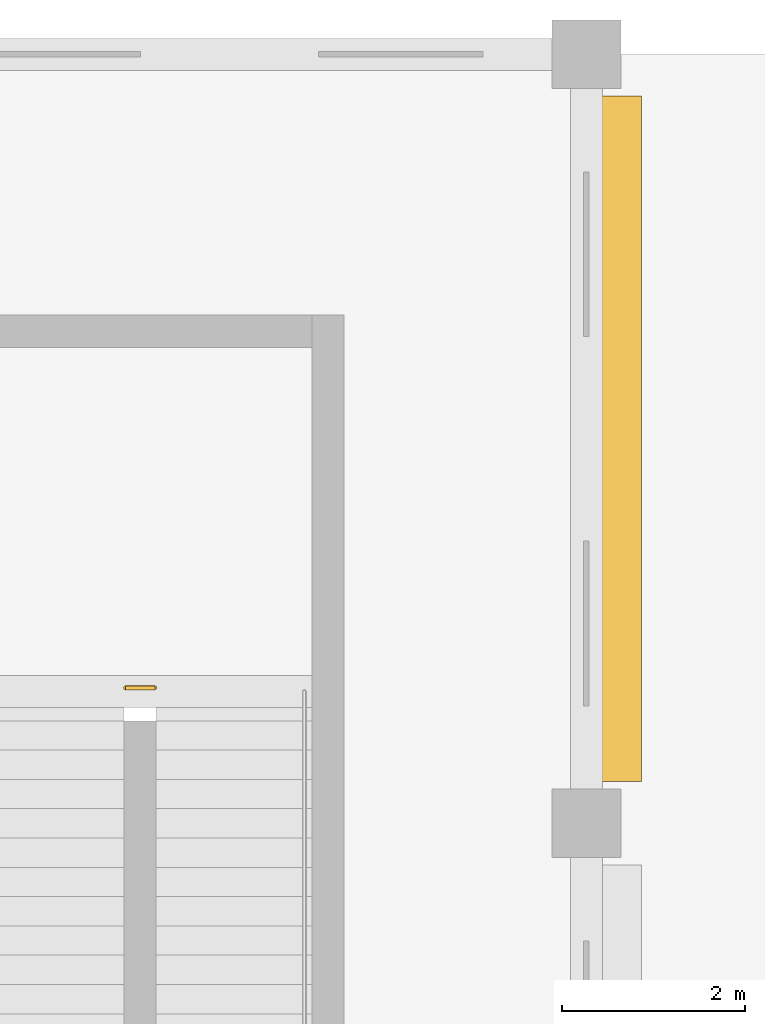
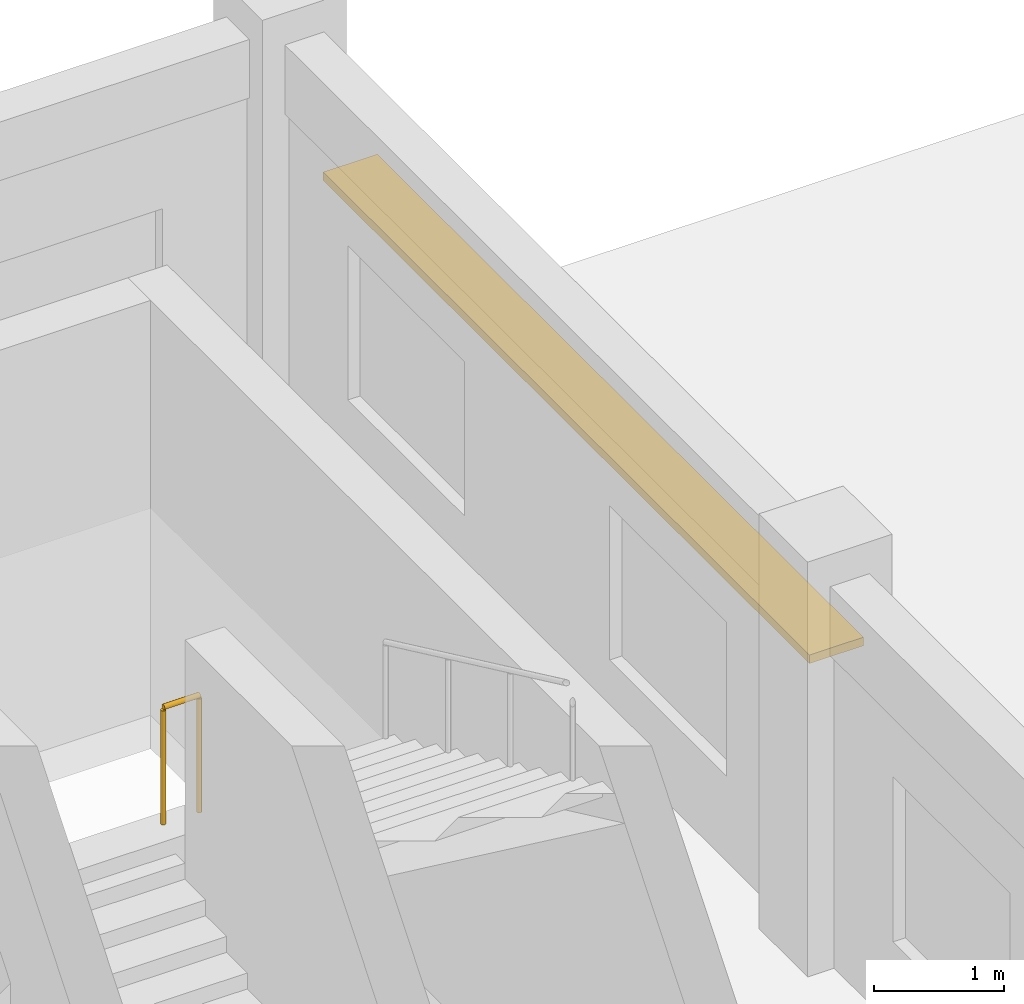
# One storey, part 70 of 72: 1 railing, 1 shading device.
"""IFC4 building model written with IfcOpenShell, lengths in metres."""

from ifc_helpers import new_model, si_unit, direction, frame, origin, origin_2d, place, context, subcontext, project, spatial, rectangle, circle, extrude, material, layer, layer_set, type_object, element, save


model = new_model("IFC4")

# Units and contexts
model_context = context("Model", 3, precision=1e-05, world=origin(), true_north=direction((0.0, 1.0)))
body_context = subcontext(model_context, "Body", "Model", "MODEL_VIEW")
ifc_project = project(units=[si_unit("LENGTHUNIT", "METRE"), si_unit("AREAUNIT", "SQUARE_METRE"), si_unit("VOLUMEUNIT", "CUBIC_METRE"), si_unit("PLANEANGLEUNIT", "RADIAN"), si_unit("MASSUNIT", "GRAM", prefix="KILO"), si_unit("THERMODYNAMICTEMPERATUREUNIT", "KELVIN"), si_unit("POWERUNIT", "WATT")], contexts=[model_context])

# Site, building, storey
site_placement = place(None, origin())
site = spatial("IfcSite", under=ifc_project, at=site_placement, CompositionType="ELEMENT")
building_placement = place(site_placement, origin())
building = spatial("IfcBuilding", under=site, at=building_placement, Name="Srebrne Nadtorze General Hospital", CompositionType="ELEMENT")
storey_placement = place(building_placement, frame((0.0, 0.0, 22.199951171875)))
storey = spatial("IfcBuildingStorey", under=building, at=storey_placement, Name="L05", CompositionType="ELEMENT", Elevation=22.199951171875)

# Shading device
ifc_material_1 = material(Name="Anodised Aluminium", Category="aluminium")
ifc_layer = layer(ifc_material_1, 0.080078125)
ifc_layer_set = layer_set([ifc_layer], Name="Anodised Aluminium")
shading_device_type = type_object("IfcShadingDeviceType", Name="Hisashi horizontal aluminium sunshade", PredefinedType="JALOUSIE", material=ifc_layer_set)
shading_device_placement = place(storey_placement, frame((54.9599609375, 88.199951171875, 2.27001953125), z_axis=(0.0, 0.0, 1.0), x_axis=(1.0, 0.0, 0.0)))
element("IfcShadingDevice", 1, at=shading_device_placement, inside=storey, type_object=shading_device_type, Name="Hisashi horizontal sunshade eave LV-327", PredefinedType="JALOUSIE", context=body_context, shape_type="SweptSolid", body=[
    extrude(rectangle(XDim=0.47998046875, YDim=7.489990234375, at=origin_2d()), origin(), (0.0, 0.0, 1.0), 0.080078125),
])

# Railing
ifc_material_2 = material(Name="Stainless Steel 316", Category="steel")
railing_type = type_object("IfcRailingType", Name="Stairwell safety guard 1120", PredefinedType="BALUSTRADE", material=ifc_material_2)
railing_placement = place(storey_placement, frame((49.56494140625, 85.47998046875, 1.949951171875)))
element("IfcRailing", 2, at=railing_placement, inside=storey, type_object=railing_type, Name="Half landing well guard ST-02-L05", PredefinedType="BALUSTRADE", context=body_context, shape_type="SweptSolid", body=[
    extrude(circle(Radius=0.02392578125, at=origin_2d()), frame((0.0, 0.0, 1.09619140625), z_axis=(1.0, 0.0, 0.0), x_axis=(0.0, 1.0, 0.0)), (0.0, 0.0, 1.0), 0.320068359375),
    extrude(circle(Radius=0.02099609375, at=origin_2d()), origin(), (0.0, 0.0, 1.0), 1.072021484375),
    extrude(circle(Radius=0.02099609375, at=origin_2d()), frame((0.320068359375, 0.0, 0.0)), (0.0, 0.0, 1.0), 1.072021484375),
])

save(model, "model.ifc")
